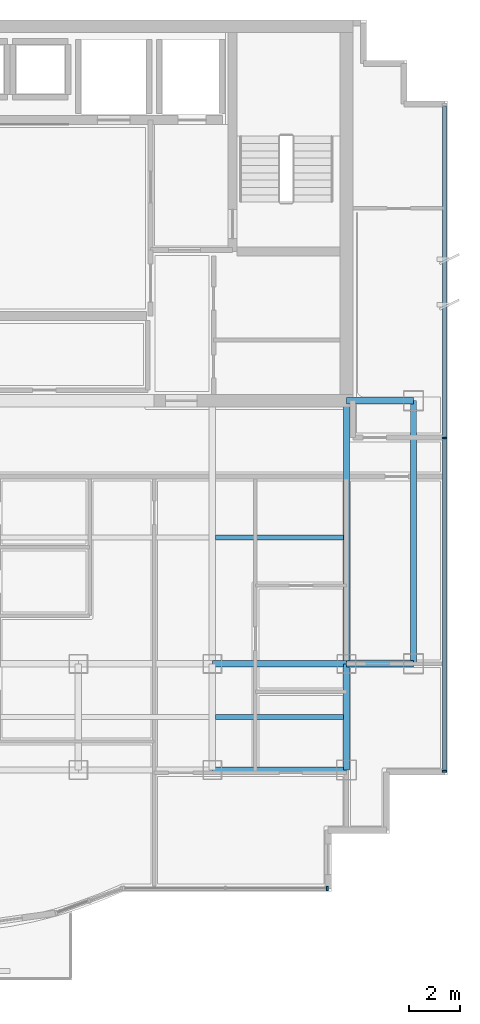
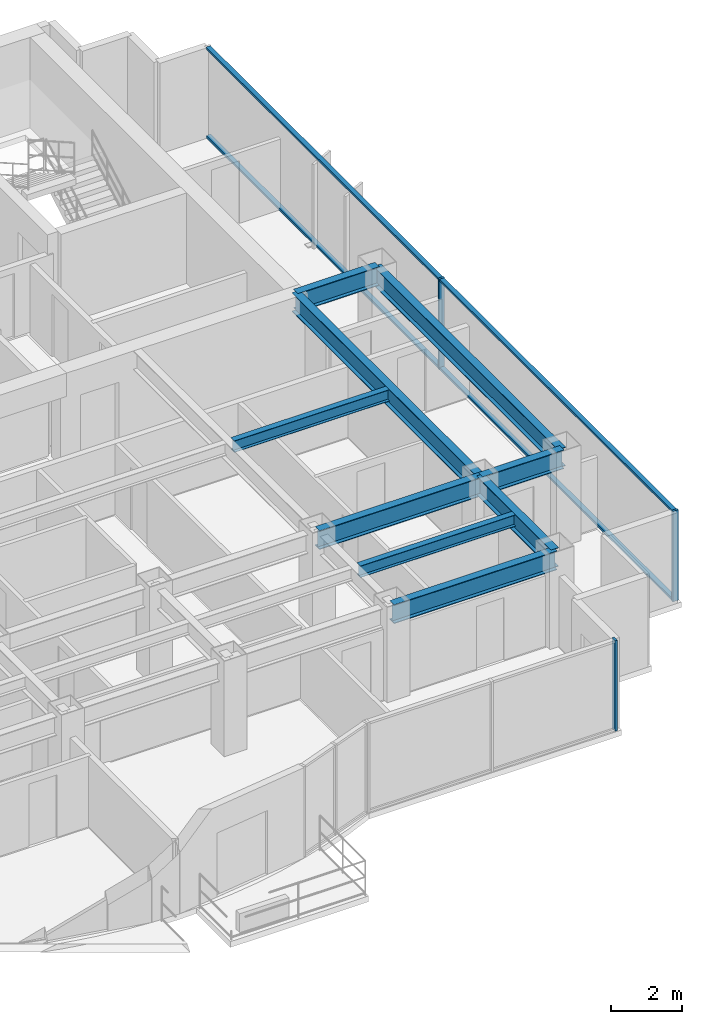
# One storey, part 4 of 12: 9 beams, 7 members, 2 elements without a shape of their own.
"""IFC4 building model written with IfcOpenShell, lengths in metres."""

from ifc_helpers import new_model, si_unit, direction, frame, origin, origin_2d, place, context, subcontext, project, spatial, rectangle, i_section, extrude, source, transform, mapped, material, layer, layer_set, material_profile, profile_set, type_object, element, aggregate, save


model = new_model("IFC4")

# Units and contexts
model_context = context("Model", 3, precision=1e-05, world=origin(), true_north=direction((0.0, 1.0)))
body_context = subcontext(model_context, "Body", "Model", "MODEL_VIEW")
ifc_project = project(units=[si_unit("LENGTHUNIT", "METRE"), si_unit("AREAUNIT", "SQUARE_METRE"), si_unit("VOLUMEUNIT", "CUBIC_METRE"), si_unit("PLANEANGLEUNIT", "RADIAN"), si_unit("MASSUNIT", "GRAM", prefix="KILO")], contexts=[model_context])

# Site, building, storey
site_placement = place(None, origin())
site = spatial("IfcSite", under=ifc_project, at=site_placement, CompositionType="ELEMENT")
building_placement = place(site_placement, origin())
building = spatial("IfcBuilding", under=site, at=building_placement, Name="Qianlan Lanfeng Residences", CompositionType="ELEMENT")
storey_placement = place(building_placement, frame((0.0, 0.0, 219.800048828125)))
storey = spatial("IfcBuildingStorey", under=building, at=storey_placement, Name="L60", CompositionType="ELEMENT", Elevation=219.800048828125)

# Beams
ifc_material_1 = material(Name="Steel SN490B", Category="steel")
ifc_material_profile_1 = material_profile(ifc_material_1, i_section(OverallWidth=0.25, OverallDepth=0.64990234375, WebThickness=0.012939453125, FlangeThickness=0.02197265625, at=origin_2d()), Name="H 650x250x13x22")
ifc_profile_set_1 = profile_set([ifc_material_profile_1], Name="Steel SN490B")
beam_type_1 = type_object("IfcBeamType", Name="G-650", PredefinedType="BEAM", material=ifc_profile_set_1)
for number, where, z_axis, x_axis, name in (
    (1, (37.10009765625, 10.60009765625, 2.784912109375), (1.0, 0.0, 0.0), (0.0, 1.0, 0.0), "Structural beam G-650"),
    (2, (37.10009765625, 14.800048828125, 2.784912109375), (1.0, 0.0, 0.0), (0.0, 1.0, 0.0), "Structural beam G-650"),
):
    element("IfcBeam", number, at=place(storey_placement, frame(where, z_axis=z_axis, x_axis=x_axis)), inside=storey, type_object=beam_type_1, Name=name, PredefinedType="BEAM", context=body_context, shape_type="SweptSolid", body=[
        extrude(i_section(OverallWidth=0.25, OverallDepth=0.64990234375, WebThickness=0.012939453125, FlangeThickness=0.02197265625, at=origin_2d()), origin(), (0.0, 0.0, 1.0), 5.2998046875),
    ])
for number, where, z_axis, x_axis, name in (
    (3, (42.39990234375, 14.800048828125, 2.784912109375), (1.0, 0.0, 0.0), (0.0, 1.0, 0.0), "Structural beam G-650"),
    (4, (42.39990234375, 25.199951171875, 2.784912109375), (1.0, 0.0, 0.0), (0.0, 1.0, 0.0), "Structural beam G-650"),
):
    element("IfcBeam", number, at=place(storey_placement, frame(where, z_axis=z_axis, x_axis=x_axis)), inside=storey, type_object=beam_type_1, Name=name, PredefinedType="BEAM", context=body_context, shape_type="SweptSolid", body=[
        extrude(i_section(OverallWidth=0.25, OverallDepth=0.64990234375, WebThickness=0.012939453125, FlangeThickness=0.02197265625, at=origin_2d()), origin(), (0.0, 0.0, 1.0), 2.650146484375),
    ])
beam_1_placement = place(storey_placement, frame((42.39990234375, 10.60009765625, 2.784912109375), z_axis=(0.0, 1.0, 0.0), x_axis=(-1.0, 0.0, 0.0)))
element("IfcBeam", 5, at=beam_1_placement, inside=storey, type_object=beam_type_1, Name="Structural beam G-650", PredefinedType="BEAM", context=body_context, shape_type="SweptSolid", body=[
    extrude(i_section(OverallWidth=0.25, OverallDepth=0.64990234375, WebThickness=0.012939453125, FlangeThickness=0.02197265625, at=origin_2d()), origin(), (0.0, 0.0, 1.0), 4.199951171875),
])
beam_2_placement = place(storey_placement, frame((42.39990234375, 14.800048828125, 2.784912109375), z_axis=(0.0, 1.0, 0.0), x_axis=(-1.0, 0.0, 0.0)))
element("IfcBeam", 6, at=beam_2_placement, inside=storey, type_object=beam_type_1, Name="Structural beam G-650", PredefinedType="BEAM", context=body_context, shape_type="SweptSolid", body=[
    extrude(i_section(OverallWidth=0.25, OverallDepth=0.64990234375, WebThickness=0.012939453125, FlangeThickness=0.02197265625, at=origin_2d()), origin(), (0.0, 0.0, 1.0), 10.39990234375),
])
ifc_material_profile_2 = material_profile(ifc_material_1, i_section(OverallWidth=0.199951171875, OverallDepth=0.39990234375, WebThickness=0.008056640625, FlangeThickness=0.012939453125, at=origin_2d()), Name="H 400x200x8x13")
ifc_profile_set_2 = profile_set([ifc_material_profile_2], Name="Steel SN490B")
beam_type_2 = type_object("IfcBeamType", Name="J-400", PredefinedType="JOIST", material=ifc_profile_set_2)
for number, where, z_axis, x_axis, name in (
    (7, (37.22509765625, 12.699951171875, 2.909912109375), (1.0, 0.0, 0.0), (0.0, 1.0, 0.0), "Structural beam J-400"),
    (8, (37.22509765625, 19.800048828125, 2.909912109375), (1.0, 0.0, 0.0), (0.0, 1.0, 0.0), "Structural beam J-400"),
):
    element("IfcBeam", number, at=place(storey_placement, frame(where, z_axis=z_axis, x_axis=x_axis)), inside=storey, type_object=beam_type_2, Name=name, PredefinedType="JOIST", context=body_context, shape_type="SweptSolid", body=[
        extrude(i_section(OverallWidth=0.199951171875, OverallDepth=0.39990234375, WebThickness=0.008056640625, FlangeThickness=0.012939453125, at=origin_2d()), origin(), (0.0, 0.0, 1.0), 5.0498046875),
    ])
ifc_material_profile_3 = material_profile(ifc_material_1, i_section(OverallWidth=0.25, OverallDepth=0.64990234375, WebThickness=0.012939453125, FlangeThickness=0.02197265625, at=origin_2d()), Name="H 650x250x13x22")
ifc_profile_set_3 = profile_set([ifc_material_profile_3], Name="Steel SN490B")
beam_type_3 = type_object("IfcBeamType", Name="SG-650", PredefinedType="SPANDREL", material=ifc_profile_set_3)
beam_3_placement = place(storey_placement, frame((45.050048828125, 14.800048828125, 2.764892578125), z_axis=(0.0, 1.0, 0.0), x_axis=(-1.0, 0.0, 0.0)))
element("IfcBeam", 9, at=beam_3_placement, inside=storey, type_object=beam_type_3, Name="Structural beam SG-650", PredefinedType="SPANDREL", context=body_context, shape_type="SweptSolid", body=[
    extrude(i_section(OverallWidth=0.25, OverallDepth=0.64990234375, WebThickness=0.012939453125, FlangeThickness=0.02197265625, at=origin_2d()), origin(), (0.0, 0.0, 1.0), 10.39990234375),
])

# Curtain wall, members
ifc_material_2 = material(Name="Anodised Bronze Aluminium 6063-T6", Category="aluminium")
ifc_layer = layer(ifc_material_2, 0.219970703125)
ifc_layer_set = layer_set([ifc_layer], Name="Anodised Bronze Aluminium 6063-T6")
curtain_wall_type = type_object("IfcCurtainWallType", Name="CW-05", PredefinedType="NOTDEFINED", material=ifc_layer_set)
curtain_wall_1_placement = place(storey_placement, origin())
curtain_wall_1 = element("IfcCurtainWall", 10, at=curtain_wall_1_placement, inside=storey, type_object=curtain_wall_type, Name="L60 Unitised Curtain Wall CWR-L60-04 (CW-05)", PredefinedType="NOTDEFINED")
ifc_material_profile_4 = material_profile(ifc_material_2, rectangle(XDim=0.074951171875, YDim=0.14990234375, at=origin_2d()), Name="ALU TRANSOM 75x150")
ifc_profile_set_4 = profile_set([ifc_material_profile_4], Name="Anodised Bronze Aluminium 6063-T6")
member_type_1 = type_object("IfcMemberType", Name="CWT-150", PredefinedType="USERDEFINED", material=ifc_profile_set_4)
shared_shape_1 = source(origin(), body_context, "Body", "SweptSolid", [
    extrude(rectangle(XDim=0.074951171875, YDim=0.14990234375, at=origin_2d()), origin(), (0.0, 0.0, 1.0), 13.092529296875),
])
member_1_placement = place(storey_placement, frame((46.280029296875, 10.594970703125, 0.037353515625), z_axis=(0.0, 1.0, 0.0), x_axis=(0.0, 0.0, 1.0)))
member_1 = element("IfcMember", 11, at=member_1_placement, type_object=member_type_1, Name="CWR-L60-04 Transom 1-BOT", ObjectType="TRANSOM", PredefinedType="USERDEFINED", context=body_context, shape_type="MappedRepresentation", body=[
    mapped(shared_shape_1, transform((0.0, 0.0, 0.0), scale=1.0)),
])
member_2_placement = place(storey_placement, frame((46.280029296875, 10.594970703125, 3.072509765625), z_axis=(0.0, 1.0, 0.0), x_axis=(0.0, 0.0, 1.0)))
member_2 = element("IfcMember", 12, at=member_2_placement, type_object=member_type_1, Name="CWR-L60-04 Transom 1-TOP", ObjectType="TRANSOM", PredefinedType="USERDEFINED", context=body_context, shape_type="MappedRepresentation", body=[
    mapped(shared_shape_1, transform((0.0, 0.0, 0.0), scale=1.0)),
])
member_3_placement = place(storey_placement, frame((46.280029296875, 23.762451171875, 0.037353515625), z_axis=(0.0, 1.0, 0.0), x_axis=(0.0, 0.0, 1.0)))
member_3 = element("IfcMember", 13, at=member_3_placement, type_object=member_type_1, Name="CWR-L60-04 Transom 2-BOT", ObjectType="TRANSOM", PredefinedType="USERDEFINED", context=body_context, shape_type="MappedRepresentation", body=[
    mapped(shared_shape_1, transform((0.0, 0.0, 0.0), scale=1.0)),
])
member_4_placement = place(storey_placement, frame((46.280029296875, 23.762451171875, 3.072509765625), z_axis=(0.0, 1.0, 0.0), x_axis=(0.0, 0.0, 1.0)))
member_4 = element("IfcMember", 14, at=member_4_placement, type_object=member_type_1, Name="CWR-L60-04 Transom 2-TOP", ObjectType="TRANSOM", PredefinedType="USERDEFINED", context=body_context, shape_type="MappedRepresentation", body=[
    mapped(shared_shape_1, transform((0.0, 0.0, 0.0), scale=1.0)),
])

# Curtain wall, member
curtain_wall_2_placement = place(storey_placement, origin())
curtain_wall_2 = element("IfcCurtainWall", 15, at=curtain_wall_2_placement, inside=storey, type_object=curtain_wall_type, Name="L60 Unitised Curtain Wall CWR-L60-03 (CW-05)", PredefinedType="NOTDEFINED")
ifc_material_profile_5 = material_profile(ifc_material_2, rectangle(XDim=0.074951171875, YDim=0.179931640625, at=origin_2d()), Name="ALU MULLION 75x180")
ifc_profile_set_5 = profile_set([ifc_material_profile_5], Name="Anodised Bronze Aluminium 6063-T6")
member_type_2 = type_object("IfcMemberType", Name="CWM-180", PredefinedType="MULLION", material=ifc_profile_set_5)
shared_shape_2 = source(origin(), body_context, "Body", "SweptSolid", [
    extrude(rectangle(XDim=0.074951171875, YDim=0.179931640625, at=origin_2d()), origin(), (0.0, 0.0, 1.0), 3.10986328125),
])
member_5_placement = place(storey_placement, frame((41.642578125, 5.919921875, 0.0), z_axis=(0.0, 0.0, 1.0), x_axis=(1.0, 0.0, 0.0)))
member_5 = element("IfcMember", 16, at=member_5_placement, type_object=member_type_2, Name="CWR-L60-03 Mullion 3", PredefinedType="MULLION", context=body_context, shape_type="MappedRepresentation", body=[
    mapped(shared_shape_2, transform((0.0, 0.0, 0.0), scale=1.0)),
])
aggregate(curtain_wall_2, [member_5])

# Member
member_6_placement = place(storey_placement, frame((46.280029296875, 10.5576171875, 0.0), z_axis=(0.0, 0.0, 1.0), x_axis=(0.0, 1.0, 0.0)))
member_6 = element("IfcMember", 17, at=member_6_placement, type_object=member_type_2, Name="CWR-L60-04 Mullion 1", PredefinedType="MULLION", context=body_context, shape_type="MappedRepresentation", body=[
    mapped(shared_shape_2, transform((0.0, 0.0, 0.0), scale=1.0)),
])

member_7_placement = place(storey_placement, frame((46.280029296875, 23.72509765625, 0.0), z_axis=(0.0, 0.0, 1.0), x_axis=(0.0, 1.0, 0.0)))
member_7 = element("IfcMember", 18, at=member_7_placement, type_object=member_type_2, Name="CWR-L60-04 Mullion 2", PredefinedType="MULLION", context=body_context, shape_type="MappedRepresentation", body=[
    mapped(shared_shape_2, transform((0.0, 0.0, 0.0), scale=1.0)),
])

aggregate(curtain_wall_1, [member_6, member_7, member_1, member_2, member_3, member_4])

save(model, "model.ifc")
